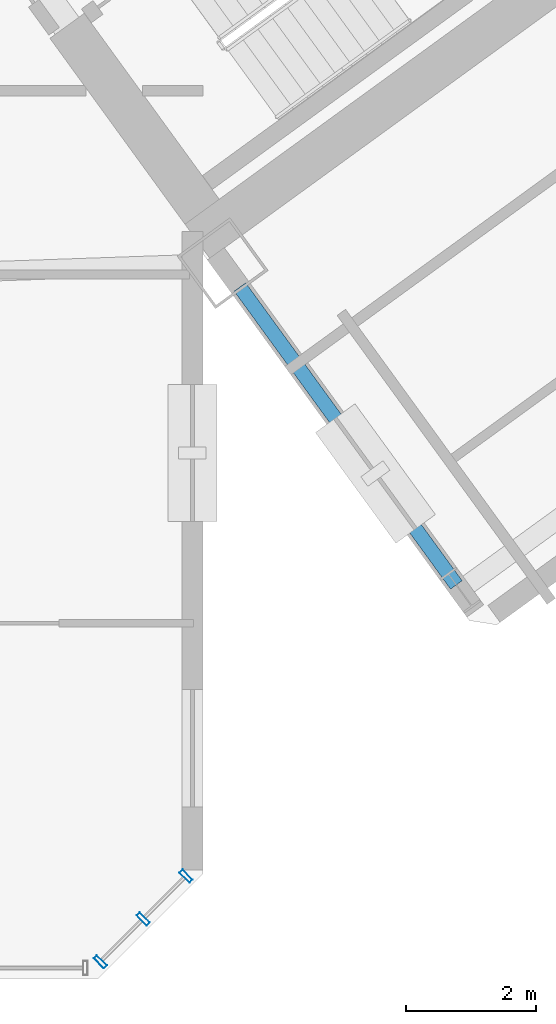
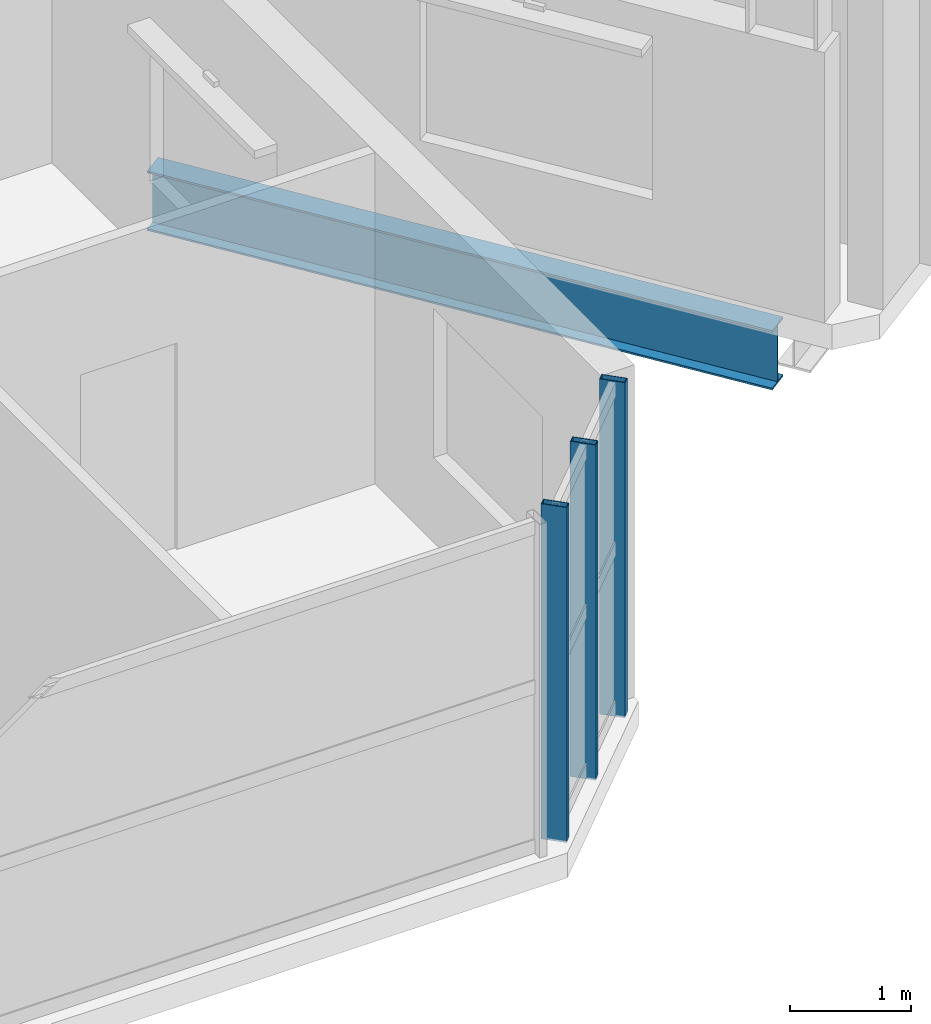
# One storey, part 9 of 24: 3 members, 1 beam, 1 element without a shape of its own.
"""IFC4 building model written with IfcOpenShell, lengths in metres."""

from ifc_helpers import new_model, si_unit, direction, frame, origin, origin_2d, place, context, subcontext, project, spatial, hollow_rectangle, i_section, extrude, source, transform, mapped, material, material_profile, profile_set, type_object, element, aggregate, save


model = new_model("IFC4")

# Units and contexts
model_context = context("Model", 3, precision=1e-05, world=origin(), true_north=direction((0.0, 1.0)))
body_context = subcontext(model_context, "Body", "Model", "MODEL_VIEW")
ifc_project = project(units=[si_unit("LENGTHUNIT", "METRE"), si_unit("AREAUNIT", "SQUARE_METRE"), si_unit("VOLUMEUNIT", "CUBIC_METRE"), si_unit("PLANEANGLEUNIT", "RADIAN"), si_unit("MASSUNIT", "GRAM", prefix="KILO")], contexts=[model_context])

# Site, building, storey
site_placement = place(None, origin())
site = spatial("IfcSite", under=ifc_project, at=site_placement, CompositionType="ELEMENT")
building_placement = place(site_placement, origin())
building = spatial("IfcBuilding", under=site, at=building_placement, Name="Tlacorven Tower", CompositionType="ELEMENT")
storey_placement = place(building_placement, frame((0.0, 0.0, 31.199951171875)))
storey = spatial("IfcBuildingStorey", under=building, at=storey_placement, Name="L07", CompositionType="ELEMENT", Elevation=31.199951171875)

# Beam
ifc_material_1 = material(Name="Steel S355J2", Category="steel")
ifc_material_profile_1 = material_profile(ifc_material_1, i_section(OverallWidth=0.219970703125, OverallDepth=0.60009765625, WebThickness=0.011962890625, FlangeThickness=0.01904296875, at=origin_2d()), Name="IPE 600")
ifc_profile_set_1 = profile_set([ifc_material_profile_1], Name="Steel S355J2")
beam_type = type_object("IfcBeamType", Name="BM-TWR-600", PredefinedType="BEAM", material=ifc_profile_set_1)
shared_shape_1 = source(origin(), body_context, "Body", "SweptSolid", [
    extrude(i_section(OverallWidth=0.219970703125, OverallDepth=0.60009765625, WebThickness=0.011962890625, FlangeThickness=0.01904296875, at=origin_2d()), origin(), (0.0, 0.0, 1.0), 5.650146484375),
])
beam_placement = place(storey_placement, frame((56.291015625, 7.83837890625, -0.550048828125), z_axis=(-0.587783675561, 0.809018139935, 0.0), x_axis=(-0.809018139935, -0.587783675561, 0.0)))
element("IfcBeam", 1, at=beam_placement, inside=storey, type_object=beam_type, Name="L07 beam BM-L07-ET1-1", PredefinedType="BEAM", context=body_context, shape_type="MappedRepresentation", body=[
    mapped(shared_shape_1, transform((0.0, 0.0, 0.0), scale=1.0)),
])

# Curtain wall, members
ifc_material_2 = material(Name="Dark solar low-E double glazing in aluminium frame", Category="aluminium")
curtain_wall_type = type_object("IfcCurtainWallType", Name="CW-TWR-LOW", PredefinedType="USERDEFINED", material=ifc_material_2)
curtain_wall_placement = place(storey_placement, origin())
curtain_wall = element("IfcCurtainWall", 2, at=curtain_wall_placement, inside=storey, type_object=curtain_wall_type, Name="L07 CW-TWR-LOW Curtain Wall 33", ObjectType="UNITISED CURTAIN WALL", PredefinedType="USERDEFINED")
ifc_material_3 = material(Name="Aluminium 6063-T6 anodised", Category="aluminium")
ifc_material_profile_2 = material_profile(ifc_material_3, hollow_rectangle(XDim=0.070068359375, YDim=0.219970703125, WallThickness=0.0048828125, at=origin_2d()), Name="ALU MULLION 70X220")
ifc_profile_set_2 = profile_set([ifc_material_profile_2], Name="Aluminium 6063-T6 anodised")
member_type = type_object("IfcMemberType", Name="CWM-01", PredefinedType="MULLION", material=ifc_profile_set_2)
shared_shape_2 = source(origin(), body_context, "Body", "SweptSolid", [
    extrude(hollow_rectangle(XDim=0.070068359375, YDim=0.219970703125, WallThickness=0.0048828125, at=origin_2d()), origin(), (0.0, 0.0, 1.0), 3.380126953125),
])
member_1_placement = place(storey_placement, frame((52.14453125, 3.370849609375, -0.02001953125), z_axis=(0.0, 0.0, 1.0), x_axis=(-0.707106781187, -0.707106781187, 0.0)))
member_1 = element("IfcMember", 3, at=member_1_placement, type_object=member_type, Name="CW-L07-033 Mullion 1", PredefinedType="MULLION", context=body_context, shape_type="MappedRepresentation", body=[
    mapped(shared_shape_2, transform((0.0, 0.0, 0.0), scale=1.0)),
])
member_2_placement = place(storey_placement, frame((51.48681640625, 2.713134765625, -0.02001953125), z_axis=(0.0, 0.0, 1.0), x_axis=(-0.707106781187, -0.707106781187, 0.0)))
member_2 = element("IfcMember", 4, at=member_2_placement, type_object=member_type, Name="CW-L07-033 Mullion 2", PredefinedType="MULLION", context=body_context, shape_type="MappedRepresentation", body=[
    mapped(shared_shape_2, transform((0.0, 0.0, 0.0), scale=1.0)),
])
member_3_placement = place(storey_placement, frame((50.8291015625, 2.055419921875, -0.02001953125), z_axis=(0.0, 0.0, 1.0), x_axis=(-0.707106781187, -0.707106781187, 0.0)))
member_3 = element("IfcMember", 5, at=member_3_placement, type_object=member_type, Name="CW-L07-033 Mullion 3", PredefinedType="MULLION", context=body_context, shape_type="MappedRepresentation", body=[
    mapped(shared_shape_2, transform((0.0, 0.0, 0.0), scale=1.0)),
])
aggregate(curtain_wall, [member_1, member_2, member_3])

save(model, "model.ifc")
